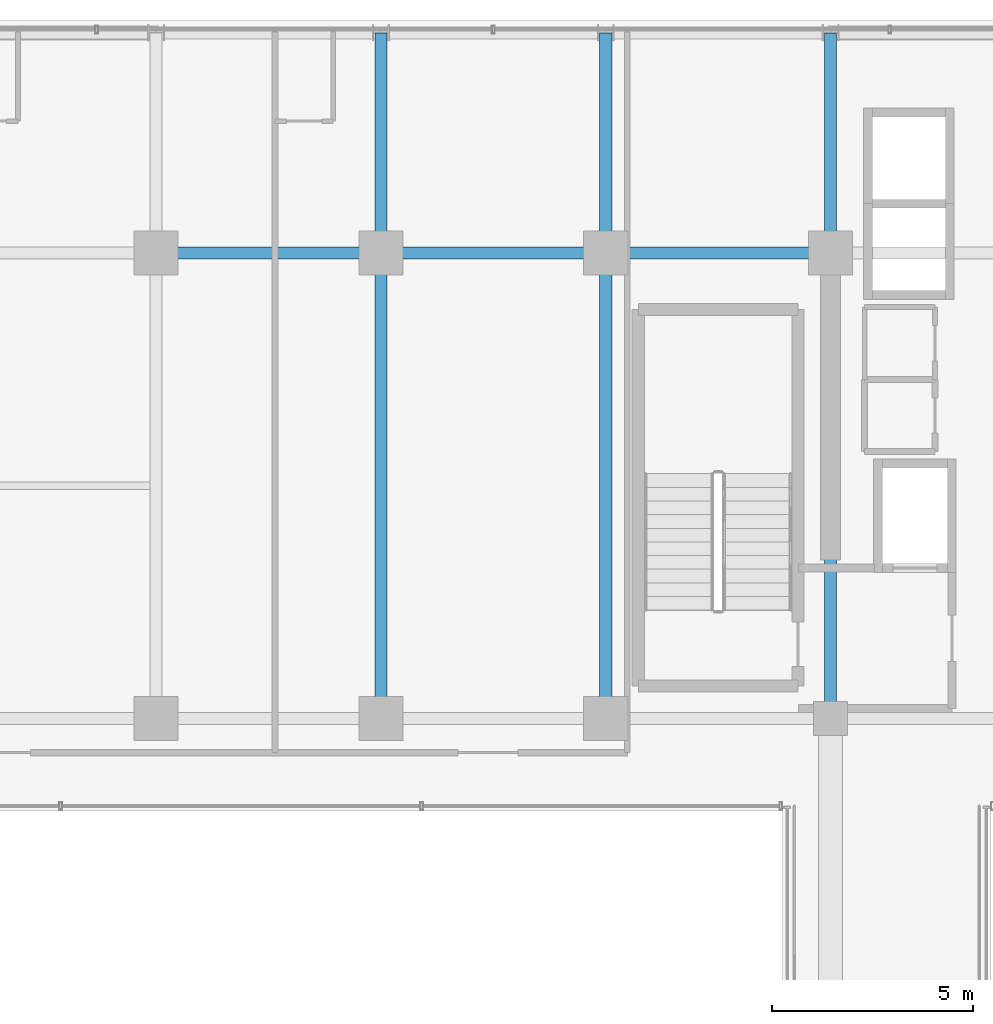
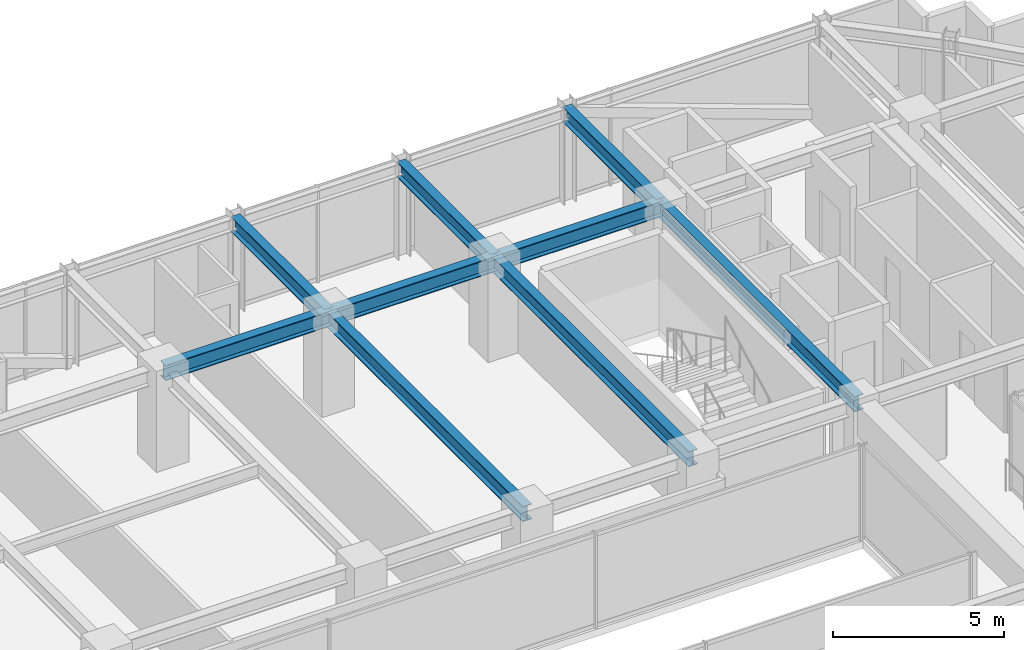
# One storey, part 22 of 38: 9 beams.
"""IFC4 building model written with IfcOpenShell, lengths in metres."""

from ifc_helpers import new_model, si_unit, direction, frame, origin, origin_2d, place, context, subcontext, project, spatial, i_section, extrude, source, transform, mapped, material, material_profile, profile_set, type_object, element, save


model = new_model("IFC4")

# Units and contexts
model_context = context("Model", 3, precision=1e-05, world=origin(), true_north=direction((0.0, 1.0)))
body_context = subcontext(model_context, "Body", "Model", "MODEL_VIEW")
ifc_project = project(units=[si_unit("LENGTHUNIT", "METRE"), si_unit("AREAUNIT", "SQUARE_METRE"), si_unit("VOLUMEUNIT", "CUBIC_METRE"), si_unit("PLANEANGLEUNIT", "RADIAN"), si_unit("MASSUNIT", "GRAM", prefix="KILO")], contexts=[model_context])

# Site, building, storey
site_placement = place(None, origin())
site = spatial("IfcSite", under=ifc_project, at=site_placement, CompositionType="ELEMENT")
building_placement = place(site_placement, origin())
building = spatial("IfcBuilding", under=site, at=building_placement, Name="Nahalor Promenade Grand Hotel", CompositionType="ELEMENT")
storey_placement = place(building_placement, frame((0.0, 0.0, 163.60009765625)))
storey = spatial("IfcBuildingStorey", under=building, at=storey_placement, Name="L41", CompositionType="ELEMENT", Elevation=163.60009765625)

# Beams
ifc_material = material(Name="Steel S355JR", Category="steel")
ifc_material_profile = material_profile(ifc_material, i_section(OverallWidth=0.3, OverallDepth=0.55, WebThickness=0.015, FlangeThickness=0.029, at=origin_2d()), Name="HEB 550")
ifc_profile_set = profile_set([ifc_material_profile], Name="Steel S355JR")
beam_type = type_object("IfcBeamType", Name="Beam-Girder-HEB550", PredefinedType="BEAM", material=ifc_profile_set)
shared_shape_1 = source(origin(), body_context, "Body", "SweptSolid", [
    extrude(i_section(OverallWidth=0.3, OverallDepth=0.55, WebThickness=0.015, FlangeThickness=0.029, at=origin_2d()), origin(), (0.0, 0.0, 1.0), 5.599853515625),
])
for number, where, z_axis, x_axis, name in (
    (1, (-8.39990234375, 17.0, 3.114990234375), (1.0, 0.0, 0.0), (0.0, 1.0, 0.0), "BM-L41-GX-3-2"),
    (2, (2.800048828125, 17.0, 3.114990234375), (1.0, 0.0, 0.0), (0.0, 1.0, 0.0), "BM-L41-GX-3-4"),
):
    element("IfcBeam", number, at=place(storey_placement, frame(where, z_axis=z_axis, x_axis=x_axis)), inside=storey, type_object=beam_type, Name=name, PredefinedType="BEAM", context=body_context, shape_type="MappedRepresentation", body=[
        mapped(shared_shape_1, transform((0.0, 0.0, 0.0), scale=1.0)),
    ])
shared_shape_2 = source(origin(), body_context, "Body", "SweptSolid", [
    extrude(i_section(OverallWidth=0.3, OverallDepth=0.55, WebThickness=0.015, FlangeThickness=0.029, at=origin_2d()), origin(), (0.0, 0.0, 1.0), 5.60009765625),
])
beam_placement = place(storey_placement, frame((-2.800048828125, 17.0, 3.114990234375), z_axis=(1.0, 0.0, 0.0), x_axis=(0.0, 1.0, 0.0)))
element("IfcBeam", 3, at=beam_placement, inside=storey, type_object=beam_type, Name="BM-L41-GX-3-3", PredefinedType="BEAM", context=body_context, shape_type="MappedRepresentation", body=[
    mapped(shared_shape_2, transform((0.0, 0.0, 0.0), scale=1.0)),
])
shared_shape_3 = source(origin(), body_context, "Body", "SweptSolid", [
    extrude(i_section(OverallWidth=0.3, OverallDepth=0.55, WebThickness=0.015, FlangeThickness=0.029, at=origin_2d()), origin(), (0.0, 0.0, 1.0), 11.60009765625),
])
for number, where, z_axis, x_axis, name in (
    (4, (-2.800048828125, 5.39990234375, 3.114990234375), (0.0, 1.0, 0.0), (-1.0, 0.0, 0.0), "BM-L41-GY-2-3"),
    (5, (2.800048828125, 5.39990234375, 3.114990234375), (0.0, 1.0, 0.0), (-1.0, 0.0, 0.0), "BM-L41-GY-3-3"),
    (6, (8.39990234375, 5.39990234375, 3.114990234375), (0.0, 1.0, 0.0), (-1.0, 0.0, 0.0), "BM-L41-GY-4-3"),
):
    element("IfcBeam", number, at=place(storey_placement, frame(where, z_axis=z_axis, x_axis=x_axis)), inside=storey, type_object=beam_type, Name=name, PredefinedType="BEAM", context=body_context, shape_type="MappedRepresentation", body=[
        mapped(shared_shape_3, transform((0.0, 0.0, 0.0), scale=1.0)),
    ])
shared_shape_4 = source(origin(), body_context, "Body", "SweptSolid", [
    extrude(i_section(OverallWidth=0.3, OverallDepth=0.55, WebThickness=0.015, FlangeThickness=0.029, at=origin_2d()), origin(), (0.0, 0.0, 1.0), 5.47998046875),
])
for number, where, z_axis, x_axis, name in (
    (7, (-2.800048828125, 17.0, 3.114990234375), (0.0, 1.0, 0.0), (-1.0, 0.0, 0.0), "BM-L41-GY-2-4"),
    (8, (2.800048828125, 17.0, 3.114990234375), (0.0, 1.0, 0.0), (-1.0, 0.0, 0.0), "BM-L41-GY-3-4"),
    (9, (8.39990234375, 17.0, 3.114990234375), (0.0, 1.0, 0.0), (-1.0, 0.0, 0.0), "BM-L41-GY-4-4"),
):
    element("IfcBeam", number, at=place(storey_placement, frame(where, z_axis=z_axis, x_axis=x_axis)), inside=storey, type_object=beam_type, Name=name, PredefinedType="BEAM", context=body_context, shape_type="MappedRepresentation", body=[
        mapped(shared_shape_4, transform((0.0, 0.0, 0.0), scale=1.0)),
    ])

save(model, "model.ifc")
